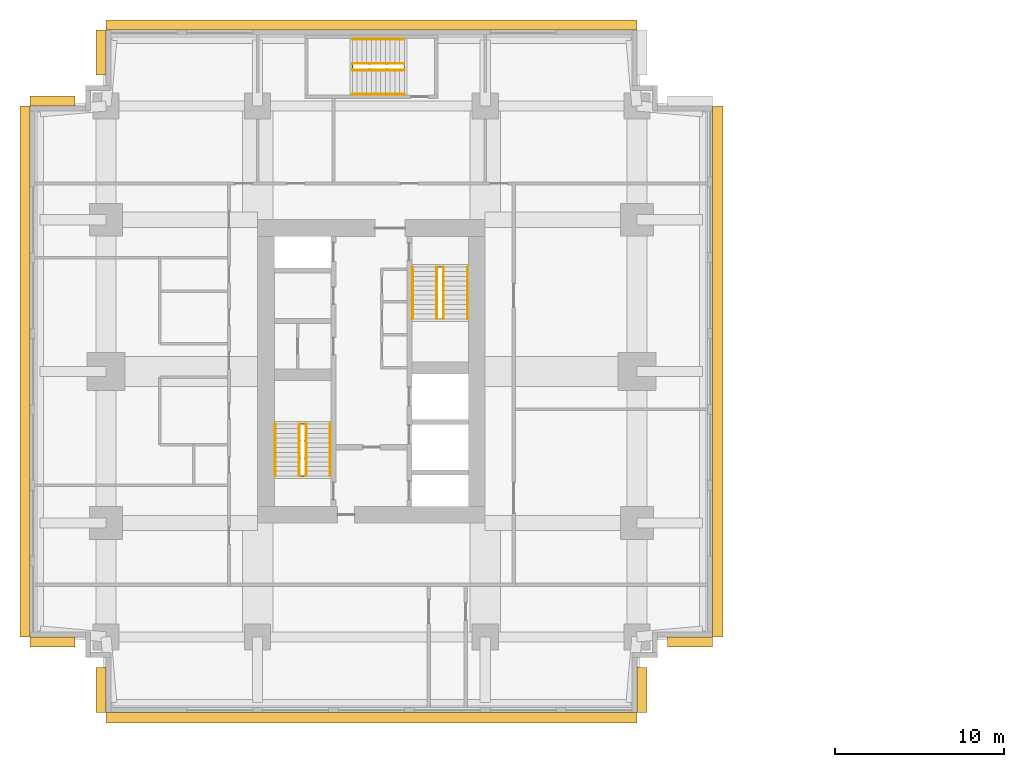
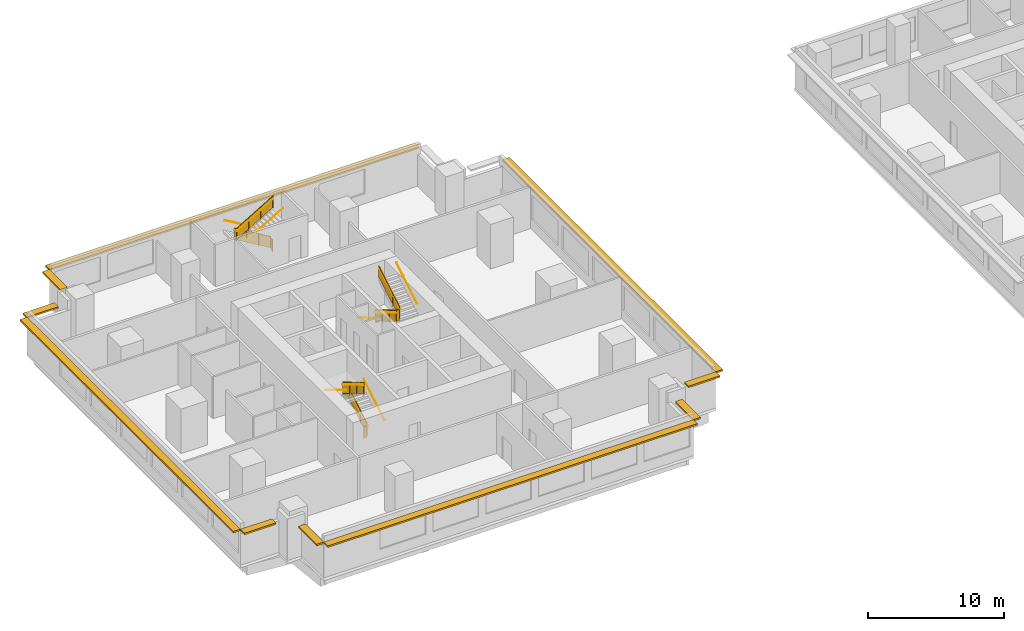
# One storey, part 10 of 11: 15 railings, 10 shading devices.
"""IFC4 building model written with IfcOpenShell, lengths in metres."""

from ifc_helpers import new_model, si_unit, direction, frame, origin, origin_2d, place, context, subcontext, project, spatial, polyline, rectangle, circle, outline, extrude, material, layer, layer_set, type_object, element, save


model = new_model("IFC4")

# Units and contexts
model_context = context("Model", 3, precision=1e-05, world=origin(), true_north=direction((0.0, 1.0)))
body_context = subcontext(model_context, "Body", "Model", "MODEL_VIEW")
ifc_project = project(units=[si_unit("LENGTHUNIT", "METRE"), si_unit("AREAUNIT", "SQUARE_METRE"), si_unit("VOLUMEUNIT", "CUBIC_METRE"), si_unit("PLANEANGLEUNIT", "RADIAN"), si_unit("MASSUNIT", "GRAM", prefix="KILO")], contexts=[model_context])

# Site, building, storey
site_placement = place(None, origin())
site = spatial("IfcSite", under=ifc_project, at=site_placement, CompositionType="ELEMENT")
building_placement = place(site_placement, origin())
building = spatial("IfcBuilding", under=site, at=building_placement, Name="Namib Vertical Campus", CompositionType="ELEMENT")
storey_placement = place(building_placement, frame((0.0, 0.0, 213.0)))
storey = spatial("IfcBuildingStorey", under=building, at=storey_placement, Name="L50", CompositionType="ELEMENT", Elevation=213.0)

# Railings
ifc_material_1 = material(Name="Steel handrail", Category="steel")
railing_type_1 = type_object("IfcRailingType", Name="Handrail 900", PredefinedType="HANDRAIL", material=ifc_material_1)
railing_1_placement = place(storey_placement, frame((17.800048828125, 14.050048828125, 0.166748046875)))
element("IfcRailing", 1, at=railing_1_placement, inside=storey, type_object=railing_type_1, Name="Handrail HR1 A-S1 L50 1", PredefinedType="HANDRAIL", context=body_context, shape_type="SweptSolid", body=[
    extrude(circle(Radius=0.02392578125, at=origin_2d()), frame((0.0, 0.0, 0.8759765625), z_axis=(0.0, 0.859290745958, 0.51148745235), x_axis=(-1.0, 0.0, 0.0)), (0.0, 0.0, 1.0), 3.584228515625),
    extrude(circle(Radius=0.008056640625, at=origin_2d()), frame((0.0, 0.0, 0.8759765625), z_axis=(1.0, 0.0, 0.0), x_axis=(0.0, 0.0, 1.0)), (0.0, 0.0, 1.0), 0.050048828125),
    extrude(circle(Radius=0.008056640625, at=origin_2d()), frame((0.0, 1.026611328125, 1.48681640625), z_axis=(1.0, 0.0, 0.0), x_axis=(0.0, 0.0, 1.0)), (0.0, 0.0, 1.0), 0.050048828125),
    extrude(circle(Radius=0.008056640625, at=origin_2d()), frame((0.0, 2.05322265625, 2.09814453125), z_axis=(1.0, 0.0, 0.0), x_axis=(0.0, 0.0, 1.0)), (0.0, 0.0, 1.0), 0.050048828125),
    extrude(circle(Radius=0.008056640625, at=origin_2d()), frame((0.0, 3.079833984375, 2.708984375), z_axis=(1.0, 0.0, 0.0), x_axis=(0.0, 0.0, 1.0)), (0.0, 0.0, 1.0), 0.050048828125),
])
railing_2_placement = place(storey_placement, frame((14.550048828125, 17.1298828125, 2.166748046875)))
element("IfcRailing", 2, at=railing_2_placement, inside=storey, type_object=railing_type_1, Name="Handrail HR1 A-S1 L50 2", PredefinedType="HANDRAIL", context=body_context, shape_type="SweptSolid", body=[
    extrude(circle(Radius=0.02392578125, at=origin_2d()), frame((0.0, 0.0, 0.8759765625), z_axis=(0.0, -0.859290745958, 0.51148745235), x_axis=(1.0, 0.0, 0.0)), (0.0, 0.0, 1.0), 3.584228515625),
    extrude(circle(Radius=0.008056640625, at=origin_2d()), frame((0.0, 0.0, 0.8759765625), z_axis=(-1.0, 0.0, 0.0), x_axis=(0.0, 0.0, 1.0)), (0.0, 0.0, 1.0), 0.050048828125),
    extrude(circle(Radius=0.008056640625, at=origin_2d()), frame((0.0, -1.026611328125, 1.48681640625), z_axis=(-1.0, 0.0, 0.0), x_axis=(0.0, 0.0, 1.0)), (0.0, 0.0, 1.0), 0.050048828125),
    extrude(circle(Radius=0.008056640625, at=origin_2d()), frame((0.0, -2.05322265625, 2.09814453125), z_axis=(-1.0, 0.0, 0.0), x_axis=(0.0, 0.0, 1.0)), (0.0, 0.0, 1.0), 0.050048828125),
    extrude(circle(Radius=0.008056640625, at=origin_2d()), frame((0.0, -3.079833984375, 2.708984375), z_axis=(-1.0, 0.0, 0.0), x_axis=(0.0, 0.0, 1.0)), (0.0, 0.0, 1.0), 0.050048828125),
])
railing_3_placement = place(storey_placement, frame((16.375, 14.050048828125, 0.166748046875)))
element("IfcRailing", 3, at=railing_3_placement, inside=storey, type_object=railing_type_1, Name="Handrail HR1 A-S1 L50 1 at the well", PredefinedType="HANDRAIL", context=body_context, shape_type="SweptSolid", body=[
    extrude(circle(Radius=0.02392578125, at=origin_2d()), frame((0.0, 0.0, 0.8759765625), z_axis=(0.0, 0.859290745958, 0.51148745235), x_axis=(-1.0, 0.0, 0.0)), (0.0, 0.0, 1.0), 3.584228515625),
    extrude(circle(Radius=0.008056640625, at=origin_2d()), frame((0.0, 0.0, 0.8759765625), z_axis=(-1.0, 0.0, 0.0), x_axis=(0.0, 0.0, 1.0)), (0.0, 0.0, 1.0), 0.0400390625),
    extrude(circle(Radius=0.008056640625, at=origin_2d()), frame((0.0, 1.026611328125, 1.48681640625), z_axis=(-1.0, 0.0, 0.0), x_axis=(0.0, 0.0, 1.0)), (0.0, 0.0, 1.0), 0.0400390625),
    extrude(circle(Radius=0.008056640625, at=origin_2d()), frame((0.0, 2.05322265625, 2.09814453125), z_axis=(-1.0, 0.0, 0.0), x_axis=(0.0, 0.0, 1.0)), (0.0, 0.0, 1.0), 0.0400390625),
    extrude(circle(Radius=0.008056640625, at=origin_2d()), frame((0.0, 3.079833984375, 2.708984375), z_axis=(-1.0, 0.0, 0.0), x_axis=(0.0, 0.0, 1.0)), (0.0, 0.0, 1.0), 0.0400390625),
])
railing_4_placement = place(storey_placement, frame((15.97509765625, 17.1298828125, 2.166748046875)))
element("IfcRailing", 4, at=railing_4_placement, inside=storey, type_object=railing_type_1, Name="Handrail HR1 A-S1 L50 2 at the well", PredefinedType="HANDRAIL", context=body_context, shape_type="SweptSolid", body=[
    extrude(circle(Radius=0.02392578125, at=origin_2d()), frame((0.0, 0.0, 0.8759765625), z_axis=(0.0, -0.859290745958, 0.51148745235), x_axis=(1.0, 0.0, 0.0)), (0.0, 0.0, 1.0), 3.584228515625),
    extrude(circle(Radius=0.008056640625, at=origin_2d()), frame((0.0, 0.0, 0.8759765625), z_axis=(1.0, 0.0, 0.0), x_axis=(0.0, 0.0, 1.0)), (0.0, 0.0, 1.0), 0.0400390625),
    extrude(circle(Radius=0.008056640625, at=origin_2d()), frame((0.0, -1.026611328125, 1.48681640625), z_axis=(1.0, 0.0, 0.0), x_axis=(0.0, 0.0, 1.0)), (0.0, 0.0, 1.0), 0.0400390625),
    extrude(circle(Radius=0.008056640625, at=origin_2d()), frame((0.0, -2.05322265625, 2.09814453125), z_axis=(1.0, 0.0, 0.0), x_axis=(0.0, 0.0, 1.0)), (0.0, 0.0, 1.0), 0.0400390625),
    extrude(circle(Radius=0.008056640625, at=origin_2d()), frame((0.0, -3.079833984375, 2.708984375), z_axis=(1.0, 0.0, 0.0), x_axis=(0.0, 0.0, 1.0)), (0.0, 0.0, 1.0), 0.0400390625),
])
railing_5_placement = place(storey_placement, frame((22.699951171875, 26.449951171875, 0.166748046875)))
element("IfcRailing", 5, at=railing_5_placement, inside=storey, type_object=railing_type_1, Name="Handrail HR1 A-S2 L50 1", PredefinedType="HANDRAIL", context=body_context, shape_type="SweptSolid", body=[
    extrude(circle(Radius=0.02392578125, at=origin_2d()), frame((0.0, 0.0, 0.8759765625), z_axis=(0.0, -0.859290745958, 0.51148745235), x_axis=(1.0, 0.0, 0.0)), (0.0, 0.0, 1.0), 3.584228515625),
    extrude(circle(Radius=0.008056640625, at=origin_2d()), frame((0.0, 0.0, 0.8759765625), z_axis=(-1.0, 0.0, 0.0), x_axis=(0.0, 0.0, 1.0)), (0.0, 0.0, 1.0), 0.050048828125),
    extrude(circle(Radius=0.008056640625, at=origin_2d()), frame((0.0, -1.026611328125, 1.48681640625), z_axis=(-1.0, 0.0, 0.0), x_axis=(0.0, 0.0, 1.0)), (0.0, 0.0, 1.0), 0.050048828125),
    extrude(circle(Radius=0.008056640625, at=origin_2d()), frame((0.0, -2.05322265625, 2.09814453125), z_axis=(-1.0, 0.0, 0.0), x_axis=(0.0, 0.0, 1.0)), (0.0, 0.0, 1.0), 0.050048828125),
    extrude(circle(Radius=0.008056640625, at=origin_2d()), frame((0.0, -3.079833984375, 2.708984375), z_axis=(-1.0, 0.0, 0.0), x_axis=(0.0, 0.0, 1.0)), (0.0, 0.0, 1.0), 0.050048828125),
])
railing_6_placement = place(storey_placement, frame((25.949951171875, 23.3701171875, 2.166748046875)))
element("IfcRailing", 6, at=railing_6_placement, inside=storey, type_object=railing_type_1, Name="Handrail HR1 A-S2 L50 2", PredefinedType="HANDRAIL", context=body_context, shape_type="SweptSolid", body=[
    extrude(circle(Radius=0.02392578125, at=origin_2d()), frame((0.0, 0.0, 0.8759765625), z_axis=(0.0, 0.859290745958, 0.51148745235), x_axis=(-1.0, 0.0, 0.0)), (0.0, 0.0, 1.0), 3.584228515625),
    extrude(circle(Radius=0.008056640625, at=origin_2d()), frame((0.0, 0.0, 0.8759765625), z_axis=(1.0, 0.0, 0.0), x_axis=(0.0, 0.0, 1.0)), (0.0, 0.0, 1.0), 0.050048828125),
    extrude(circle(Radius=0.008056640625, at=origin_2d()), frame((0.0, 1.026611328125, 1.48681640625), z_axis=(1.0, 0.0, 0.0), x_axis=(0.0, 0.0, 1.0)), (0.0, 0.0, 1.0), 0.050048828125),
    extrude(circle(Radius=0.008056640625, at=origin_2d()), frame((0.0, 2.05322265625, 2.09814453125), z_axis=(1.0, 0.0, 0.0), x_axis=(0.0, 0.0, 1.0)), (0.0, 0.0, 1.0), 0.050048828125),
    extrude(circle(Radius=0.008056640625, at=origin_2d()), frame((0.0, 3.079833984375, 2.708984375), z_axis=(1.0, 0.0, 0.0), x_axis=(0.0, 0.0, 1.0)), (0.0, 0.0, 1.0), 0.050048828125),
])
railing_7_placement = place(storey_placement, frame((24.125, 26.449951171875, 0.166748046875)))
element("IfcRailing", 7, at=railing_7_placement, inside=storey, type_object=railing_type_1, Name="Handrail HR1 A-S2 L50 1 at the well", PredefinedType="HANDRAIL", context=body_context, shape_type="SweptSolid", body=[
    extrude(circle(Radius=0.02392578125, at=origin_2d()), frame((0.0, 0.0, 0.8759765625), z_axis=(0.0, -0.859290745958, 0.51148745235), x_axis=(1.0, 0.0, 0.0)), (0.0, 0.0, 1.0), 3.584228515625),
    extrude(circle(Radius=0.008056640625, at=origin_2d()), frame((0.0, 0.0, 0.8759765625), z_axis=(1.0, 0.0, 0.0), x_axis=(0.0, 0.0, 1.0)), (0.0, 0.0, 1.0), 0.0400390625),
    extrude(circle(Radius=0.008056640625, at=origin_2d()), frame((0.0, -1.026611328125, 1.48681640625), z_axis=(1.0, 0.0, 0.0), x_axis=(0.0, 0.0, 1.0)), (0.0, 0.0, 1.0), 0.0400390625),
    extrude(circle(Radius=0.008056640625, at=origin_2d()), frame((0.0, -2.05322265625, 2.09814453125), z_axis=(1.0, 0.0, 0.0), x_axis=(0.0, 0.0, 1.0)), (0.0, 0.0, 1.0), 0.0400390625),
    extrude(circle(Radius=0.008056640625, at=origin_2d()), frame((0.0, -3.079833984375, 2.708984375), z_axis=(1.0, 0.0, 0.0), x_axis=(0.0, 0.0, 1.0)), (0.0, 0.0, 1.0), 0.0400390625),
])
railing_8_placement = place(storey_placement, frame((24.52490234375, 23.3701171875, 2.166748046875)))
element("IfcRailing", 8, at=railing_8_placement, inside=storey, type_object=railing_type_1, Name="Handrail HR1 A-S2 L50 2 at the well", PredefinedType="HANDRAIL", context=body_context, shape_type="SweptSolid", body=[
    extrude(circle(Radius=0.02392578125, at=origin_2d()), frame((0.0, 0.0, 0.8759765625), z_axis=(0.0, 0.859290745958, 0.51148745235), x_axis=(-1.0, 0.0, 0.0)), (0.0, 0.0, 1.0), 3.584228515625),
    extrude(circle(Radius=0.008056640625, at=origin_2d()), frame((0.0, 0.0, 0.8759765625), z_axis=(-1.0, 0.0, 0.0), x_axis=(0.0, 0.0, 1.0)), (0.0, 0.0, 1.0), 0.0400390625),
    extrude(circle(Radius=0.008056640625, at=origin_2d()), frame((0.0, 1.026611328125, 1.48681640625), z_axis=(-1.0, 0.0, 0.0), x_axis=(0.0, 0.0, 1.0)), (0.0, 0.0, 1.0), 0.0400390625),
    extrude(circle(Radius=0.008056640625, at=origin_2d()), frame((0.0, 2.05322265625, 2.09814453125), z_axis=(-1.0, 0.0, 0.0), x_axis=(0.0, 0.0, 1.0)), (0.0, 0.0, 1.0), 0.0400390625),
    extrude(circle(Radius=0.008056640625, at=origin_2d()), frame((0.0, 3.079833984375, 2.708984375), z_axis=(-1.0, 0.0, 0.0), x_axis=(0.0, 0.0, 1.0)), (0.0, 0.0, 1.0), 0.0400390625),
])
railing_9_placement = place(storey_placement, frame((22.199951171875, 39.949951171875, 0.166748046875)))
element("IfcRailing", 9, at=railing_9_placement, inside=storey, type_object=railing_type_1, Name="Handrail HR1 A-S3 L50 1", PredefinedType="HANDRAIL", context=body_context, shape_type="SweptSolid", body=[
    extrude(circle(Radius=0.02392578125, at=origin_2d()), frame((0.0, 0.0, 0.8759765625), z_axis=(-0.859290745958, 0.0, 0.51148745235), x_axis=(0.0, -1.0, 0.0)), (0.0, 0.0, 1.0), 3.584228515625),
    extrude(circle(Radius=0.008056640625, at=origin_2d()), frame((0.0, 0.0, 0.8759765625), z_axis=(0.0, 1.0, 0.0), x_axis=(0.0, 0.0, 1.0)), (0.0, 0.0, 1.0), 0.050048828125),
    extrude(circle(Radius=0.008056640625, at=origin_2d()), frame((-1.026611328125, 0.0, 1.48681640625), z_axis=(0.0, 1.0, 0.0), x_axis=(0.0, 0.0, 1.0)), (0.0, 0.0, 1.0), 0.050048828125),
    extrude(circle(Radius=0.008056640625, at=origin_2d()), frame((-2.05322265625, 0.0, 2.09814453125), z_axis=(0.0, 1.0, 0.0), x_axis=(0.0, 0.0, 1.0)), (0.0, 0.0, 1.0), 0.050048828125),
    extrude(circle(Radius=0.008056640625, at=origin_2d()), frame((-3.079833984375, 0.0, 2.708984375), z_axis=(0.0, 1.0, 0.0), x_axis=(0.0, 0.0, 1.0)), (0.0, 0.0, 1.0), 0.050048828125),
])
railing_10_placement = place(storey_placement, frame((19.1201171875, 36.699951171875, 2.166748046875)))
element("IfcRailing", 10, at=railing_10_placement, inside=storey, type_object=railing_type_1, Name="Handrail HR1 A-S3 L50 2", PredefinedType="HANDRAIL", context=body_context, shape_type="SweptSolid", body=[
    extrude(circle(Radius=0.02392578125, at=origin_2d()), frame((0.0, 0.0, 0.8759765625), z_axis=(0.859290745958, 0.0, 0.51148745235), x_axis=(0.0, 1.0, 0.0)), (0.0, 0.0, 1.0), 3.584228515625),
    extrude(circle(Radius=0.008056640625, at=origin_2d()), frame((0.0, 0.0, 0.8759765625), z_axis=(0.0, -1.0, 0.0), x_axis=(0.0, 0.0, 1.0)), (0.0, 0.0, 1.0), 0.050048828125),
    extrude(circle(Radius=0.008056640625, at=origin_2d()), frame((1.026611328125, 0.0, 1.48681640625), z_axis=(0.0, -1.0, 0.0), x_axis=(0.0, 0.0, 1.0)), (0.0, 0.0, 1.0), 0.050048828125),
    extrude(circle(Radius=0.008056640625, at=origin_2d()), frame((2.05322265625, 0.0, 2.09814453125), z_axis=(0.0, -1.0, 0.0), x_axis=(0.0, 0.0, 1.0)), (0.0, 0.0, 1.0), 0.050048828125),
    extrude(circle(Radius=0.008056640625, at=origin_2d()), frame((3.079833984375, 0.0, 2.708984375), z_axis=(0.0, -1.0, 0.0), x_axis=(0.0, 0.0, 1.0)), (0.0, 0.0, 1.0), 0.050048828125),
])
railing_11_placement = place(storey_placement, frame((22.199951171875, 38.52490234375, 0.166748046875)))
element("IfcRailing", 11, at=railing_11_placement, inside=storey, type_object=railing_type_1, Name="Handrail HR1 A-S3 L50 1 at the well", PredefinedType="HANDRAIL", context=body_context, shape_type="SweptSolid", body=[
    extrude(circle(Radius=0.02392578125, at=origin_2d()), frame((0.0, 0.0, 0.8759765625), z_axis=(-0.859290745958, 0.0, 0.51148745235), x_axis=(0.0, -1.0, 0.0)), (0.0, 0.0, 1.0), 3.584228515625),
    extrude(circle(Radius=0.008056640625, at=origin_2d()), frame((0.0, 0.0, 0.8759765625), z_axis=(0.0, -1.0, 0.0), x_axis=(0.0, 0.0, 1.0)), (0.0, 0.0, 1.0), 0.0400390625),
    extrude(circle(Radius=0.008056640625, at=origin_2d()), frame((-1.026611328125, 0.0, 1.48681640625), z_axis=(0.0, -1.0, 0.0), x_axis=(0.0, 0.0, 1.0)), (0.0, 0.0, 1.0), 0.0400390625),
    extrude(circle(Radius=0.008056640625, at=origin_2d()), frame((-2.05322265625, 0.0, 2.09814453125), z_axis=(0.0, -1.0, 0.0), x_axis=(0.0, 0.0, 1.0)), (0.0, 0.0, 1.0), 0.0400390625),
    extrude(circle(Radius=0.008056640625, at=origin_2d()), frame((-3.079833984375, 0.0, 2.708984375), z_axis=(0.0, -1.0, 0.0), x_axis=(0.0, 0.0, 1.0)), (0.0, 0.0, 1.0), 0.0400390625),
])
railing_12_placement = place(storey_placement, frame((19.1201171875, 38.125, 2.166748046875)))
element("IfcRailing", 12, at=railing_12_placement, inside=storey, type_object=railing_type_1, Name="Handrail HR1 A-S3 L50 2 at the well", PredefinedType="HANDRAIL", context=body_context, shape_type="SweptSolid", body=[
    extrude(circle(Radius=0.02392578125, at=origin_2d()), frame((0.0, 0.0, 0.8759765625), z_axis=(0.859290745958, 0.0, 0.51148745235), x_axis=(0.0, 1.0, 0.0)), (0.0, 0.0, 1.0), 3.584228515625),
    extrude(circle(Radius=0.008056640625, at=origin_2d()), frame((0.0, 0.0, 0.8759765625), z_axis=(0.0, 1.0, 0.0), x_axis=(0.0, 0.0, 1.0)), (0.0, 0.0, 1.0), 0.0400390625),
    extrude(circle(Radius=0.008056640625, at=origin_2d()), frame((1.026611328125, 0.0, 1.48681640625), z_axis=(0.0, 1.0, 0.0), x_axis=(0.0, 0.0, 1.0)), (0.0, 0.0, 1.0), 0.0400390625),
    extrude(circle(Radius=0.008056640625, at=origin_2d()), frame((2.05322265625, 0.0, 2.09814453125), z_axis=(0.0, 1.0, 0.0), x_axis=(0.0, 0.0, 1.0)), (0.0, 0.0, 1.0), 0.0400390625),
    extrude(circle(Radius=0.008056640625, at=origin_2d()), frame((3.079833984375, 0.0, 2.708984375), z_axis=(0.0, 1.0, 0.0), x_axis=(0.0, 0.0, 1.0)), (0.0, 0.0, 1.0), 0.0400390625),
])
ifc_material_2 = material(Name="Steel balustrade", Category="steel")
railing_type_2 = type_object("IfcRailingType", Name="Stair guard 1100", PredefinedType="GUARDRAIL", material=ifc_material_2)
railing_13_placement = place(storey_placement, frame((16.02490234375, 14.050048828125, 0.0)))
element("IfcRailing", 13, at=railing_13_placement, inside=storey, type_object=railing_type_2, Name="Stair guard GR1 A-S1 L50", PredefinedType="GUARDRAIL", context=body_context, shape_type="SweptSolid", body=[
    extrude(circle(Radius=0.02392578125, at=origin_2d()), frame((0.0, 0.0, 1.076171875), z_axis=(1.0, 0.0, 0.0), x_axis=(0.0, 1.0, 0.0)), (0.0, 0.0, 1.0), 0.300048828125),
    extrude(outline(polyline([(0.02099609375, 0.050048828125), (0.279052734375, 0.050048828125), (0.279052734375, 1.052001953125), (0.02099609375, 1.052001953125), (0.02099609375, 0.050048828125)])), frame((0.0, 0.010009765625, 0.0), z_axis=(0.0, -1.0, 0.0), x_axis=(1.0, 0.0, 0.0)), (0.0, 0.0, 1.0), 0.02001953125),
    extrude(circle(Radius=0.02392578125, at=origin_2d()), frame((0.300048828125, 0.0, 1.076171875), z_axis=(0.0, 0.0, 1.0), x_axis=(1.0, 0.0, 0.0)), (0.0, 0.0, 1.0), 0.166748046875),
    extrude(circle(Radius=0.02392578125, at=origin_2d()), frame((0.300048828125, 0.0, 1.24267578125), z_axis=(0.0, 0.859290745958, 0.51148745235), x_axis=(-1.0, 0.0, 0.0)), (0.0, 0.0, 1.0), 3.584228515625),
    extrude(outline(polyline([(0.02099609375, 0.0625), (3.058837890625, 1.870849609375), (3.058837890625, 2.872802734375), (0.02099609375, 1.064453125), (0.02099609375, 0.0625)])), frame((0.2900390625, 0.0, 0.166748046875), z_axis=(1.0, 0.0, 0.0), x_axis=(0.0, 1.0, 0.0)), (0.0, 0.0, 1.0), 0.02001953125),
    extrude(circle(Radius=0.02392578125, at=origin_2d()), frame((0.300048828125, 3.079833984375, 3.076171875), z_axis=(-1.0, 0.0, 0.0), x_axis=(0.0, -1.0, 0.0)), (0.0, 0.0, 1.0), 0.300048828125),
    extrude(outline(polyline([(0.02099609375, 0.050048828125), (0.279052734375, 0.050048828125), (0.279052734375, 1.052001953125), (0.02099609375, 1.052001953125), (0.02099609375, 0.050048828125)])), frame((0.300048828125, 3.06982421875, 2.0), z_axis=(0.0, 1.0, 0.0), x_axis=(-1.0, 0.0, 0.0)), (0.0, 0.0, 1.0), 0.02001953125),
    extrude(circle(Radius=0.02392578125, at=origin_2d()), frame((0.0, 3.079833984375, 3.076171875), z_axis=(0.0, 0.0, 1.0), x_axis=(1.0, 0.0, 0.0)), (0.0, 0.0, 1.0), 0.166748046875),
    extrude(circle(Radius=0.02392578125, at=origin_2d()), frame((0.0, 3.079833984375, 3.24267578125), z_axis=(0.0, -0.859290745958, 0.51148745235), x_axis=(1.0, 0.0, 0.0)), (0.0, 0.0, 1.0), 3.584228515625),
    extrude(outline(polyline([(0.02099609375, 0.0625), (3.058837890625, 1.870849609375), (3.058837890625, 2.872802734375), (0.02099609375, 1.064453125), (0.02099609375, 0.0625)])), frame((0.010009765625, 3.079833984375, 2.166748046875), z_axis=(-1.0, 0.0, 0.0), x_axis=(0.0, -1.0, 0.0)), (0.0, 0.0, 1.0), 0.02001953125),
    extrude(circle(Radius=0.02392578125, at=origin_2d()), frame((0.0, 0.0, 5.076171875), z_axis=(0.0, -1.0, 0.0), x_axis=(1.0, 0.0, 0.0)), (0.0, 0.0, 1.0), 0.050048828125),
    extrude(outline(polyline([(0.02099609375, 0.050048828125), (0.029052734375, 0.050048828125), (0.029052734375, 1.052001953125), (0.02099609375, 1.052001953125), (0.02099609375, 0.050048828125)])), frame((0.010009765625, 0.0, 4.0), z_axis=(-1.0, 0.0, 0.0), x_axis=(0.0, -1.0, 0.0)), (0.0, 0.0, 1.0), 0.02001953125),
    extrude(circle(Radius=0.02099609375, at=origin_2d()), origin(), (0.0, 0.0, 1.0), 1.052001953125),
    extrude(circle(Radius=0.02099609375, at=origin_2d()), frame((0.300048828125, 0.0, 0.166748046875)), (0.0, 0.0, 1.0), 1.052001953125),
    extrude(circle(Radius=0.02099609375, at=origin_2d()), frame((0.300048828125, 1.026611328125, 0.666748046875)), (0.0, 0.0, 1.0), 1.1630859375),
    extrude(circle(Radius=0.02099609375, at=origin_2d()), frame((0.300048828125, 2.05322265625, 1.33349609375)), (0.0, 0.0, 1.0), 1.107421875),
    extrude(circle(Radius=0.02099609375, at=origin_2d()), frame((0.300048828125, 3.079833984375, 2.0)), (0.0, 0.0, 1.0), 1.052001953125),
    extrude(circle(Radius=0.02099609375, at=origin_2d()), frame((0.0, 3.079833984375, 2.166748046875)), (0.0, 0.0, 1.0), 1.052001953125),
    extrude(circle(Radius=0.02099609375, at=origin_2d()), frame((0.0, 2.05322265625, 2.666748046875)), (0.0, 0.0, 1.0), 1.1630859375),
    extrude(circle(Radius=0.02099609375, at=origin_2d()), frame((0.0, 1.026611328125, 3.33349609375)), (0.0, 0.0, 1.0), 1.107421875),
    extrude(circle(Radius=0.02099609375, at=origin_2d()), frame((0.0, 0.0, 4.0)), (0.0, 0.0, 1.0), 1.052001953125),
    extrude(circle(Radius=0.02099609375, at=origin_2d()), frame((0.0, -0.050048828125, 4.0)), (0.0, 0.0, 1.0), 1.052001953125),
])
railing_14_placement = place(storey_placement, frame((24.47509765625, 26.449951171875, 0.0)))
element("IfcRailing", 14, at=railing_14_placement, inside=storey, type_object=railing_type_2, Name="Stair guard GR1 A-S2 L50", PredefinedType="GUARDRAIL", context=body_context, shape_type="SweptSolid", body=[
    extrude(circle(Radius=0.02392578125, at=origin_2d()), frame((0.0, 0.0, 1.076171875), z_axis=(-1.0, 0.0, 0.0), x_axis=(0.0, -1.0, 0.0)), (0.0, 0.0, 1.0), 0.300048828125),
    extrude(outline(polyline([(0.02099609375, 0.050048828125), (0.279052734375, 0.050048828125), (0.279052734375, 1.052001953125), (0.02099609375, 1.052001953125), (0.02099609375, 0.050048828125)])), frame((0.0, -0.010009765625, 0.0), z_axis=(0.0, 1.0, 0.0), x_axis=(-1.0, 0.0, 0.0)), (0.0, 0.0, 1.0), 0.02001953125),
    extrude(circle(Radius=0.02392578125, at=origin_2d()), frame((-0.300048828125, 0.0, 1.076171875), z_axis=(0.0, 0.0, 1.0), x_axis=(1.0, 0.0, 0.0)), (0.0, 0.0, 1.0), 0.166748046875),
    extrude(circle(Radius=0.02392578125, at=origin_2d()), frame((-0.300048828125, 0.0, 1.24267578125), z_axis=(0.0, -0.859290745958, 0.51148745235), x_axis=(1.0, 0.0, 0.0)), (0.0, 0.0, 1.0), 3.584228515625),
    extrude(outline(polyline([(0.02099609375, 0.0625), (3.058837890625, 1.870849609375), (3.058837890625, 2.872802734375), (0.02099609375, 1.064453125), (0.02099609375, 0.0625)])), frame((-0.2900390625, 0.0, 0.166748046875), z_axis=(-1.0, 0.0, 0.0), x_axis=(0.0, -1.0, 0.0)), (0.0, 0.0, 1.0), 0.02001953125),
    extrude(circle(Radius=0.02392578125, at=origin_2d()), frame((-0.300048828125, -3.079833984375, 3.076171875), z_axis=(1.0, 0.0, 0.0), x_axis=(0.0, 1.0, 0.0)), (0.0, 0.0, 1.0), 0.300048828125),
    extrude(outline(polyline([(0.02099609375, 0.050048828125), (0.279052734375, 0.050048828125), (0.279052734375, 1.052001953125), (0.02099609375, 1.052001953125), (0.02099609375, 0.050048828125)])), frame((-0.300048828125, -3.06982421875, 2.0), z_axis=(0.0, -1.0, 0.0), x_axis=(1.0, 0.0, 0.0)), (0.0, 0.0, 1.0), 0.02001953125),
    extrude(circle(Radius=0.02392578125, at=origin_2d()), frame((0.0, -3.079833984375, 3.076171875), z_axis=(0.0, 0.0, 1.0), x_axis=(1.0, 0.0, 0.0)), (0.0, 0.0, 1.0), 0.166748046875),
    extrude(circle(Radius=0.02392578125, at=origin_2d()), frame((0.0, -3.079833984375, 3.24267578125), z_axis=(0.0, 0.859290745958, 0.51148745235), x_axis=(-1.0, 0.0, 0.0)), (0.0, 0.0, 1.0), 3.584228515625),
    extrude(outline(polyline([(0.02099609375, 0.0625), (3.058837890625, 1.870849609375), (3.058837890625, 2.872802734375), (0.02099609375, 1.064453125), (0.02099609375, 0.0625)])), frame((-0.010009765625, -3.079833984375, 2.166748046875), z_axis=(1.0, 0.0, 0.0), x_axis=(0.0, 1.0, 0.0)), (0.0, 0.0, 1.0), 0.02001953125),
    extrude(circle(Radius=0.02392578125, at=origin_2d()), frame((0.0, 0.0, 5.076171875), z_axis=(0.0, 1.0, 0.0), x_axis=(-1.0, 0.0, 0.0)), (0.0, 0.0, 1.0), 0.050048828125),
    extrude(outline(polyline([(0.02099609375, 0.050048828125), (0.029052734375, 0.050048828125), (0.029052734375, 1.052001953125), (0.02099609375, 1.052001953125), (0.02099609375, 0.050048828125)])), frame((-0.010009765625, 0.0, 4.0), z_axis=(1.0, 0.0, 0.0), x_axis=(0.0, 1.0, 0.0)), (0.0, 0.0, 1.0), 0.02001953125),
    extrude(circle(Radius=0.02099609375, at=origin_2d()), origin(), (0.0, 0.0, 1.0), 1.052001953125),
    extrude(circle(Radius=0.02099609375, at=origin_2d()), frame((-0.300048828125, 0.0, 0.166748046875)), (0.0, 0.0, 1.0), 1.052001953125),
    extrude(circle(Radius=0.02099609375, at=origin_2d()), frame((-0.300048828125, -1.026611328125, 0.666748046875)), (0.0, 0.0, 1.0), 1.1630859375),
    extrude(circle(Radius=0.02099609375, at=origin_2d()), frame((-0.300048828125, -2.05322265625, 1.33349609375)), (0.0, 0.0, 1.0), 1.107421875),
    extrude(circle(Radius=0.02099609375, at=origin_2d()), frame((-0.300048828125, -3.079833984375, 2.0)), (0.0, 0.0, 1.0), 1.052001953125),
    extrude(circle(Radius=0.02099609375, at=origin_2d()), frame((0.0, -3.079833984375, 2.166748046875)), (0.0, 0.0, 1.0), 1.052001953125),
    extrude(circle(Radius=0.02099609375, at=origin_2d()), frame((0.0, -2.05322265625, 2.666748046875)), (0.0, 0.0, 1.0), 1.1630859375),
    extrude(circle(Radius=0.02099609375, at=origin_2d()), frame((0.0, -1.026611328125, 3.33349609375)), (0.0, 0.0, 1.0), 1.107421875),
    extrude(circle(Radius=0.02099609375, at=origin_2d()), frame((0.0, 0.0, 4.0)), (0.0, 0.0, 1.0), 1.052001953125),
    extrude(circle(Radius=0.02099609375, at=origin_2d()), frame((0.0, 0.050048828125, 4.0)), (0.0, 0.0, 1.0), 1.052001953125),
])
railing_15_placement = place(storey_placement, frame((22.199951171875, 38.175048828125, 0.0)))
element("IfcRailing", 15, at=railing_15_placement, inside=storey, type_object=railing_type_2, Name="Stair guard GR1 A-S3 L50", PredefinedType="GUARDRAIL", context=body_context, shape_type="SweptSolid", body=[
    extrude(circle(Radius=0.02392578125, at=origin_2d()), frame((0.0, 0.0, 1.076171875), z_axis=(0.0, 1.0, 0.0), x_axis=(-1.0, 0.0, 0.0)), (0.0, 0.0, 1.0), 0.300048828125),
    extrude(outline(polyline([(0.02099609375, 0.050048828125), (0.279052734375, 0.050048828125), (0.279052734375, 1.052001953125), (0.02099609375, 1.052001953125), (0.02099609375, 0.050048828125)])), frame((-0.010009765625, 0.0, 0.0), z_axis=(1.0, 0.0, 0.0), x_axis=(0.0, 1.0, 0.0)), (0.0, 0.0, 1.0), 0.02001953125),
    extrude(circle(Radius=0.02392578125, at=origin_2d()), frame((0.0, 0.300048828125, 1.076171875), z_axis=(0.0, 0.0, 1.0), x_axis=(1.0, 0.0, 0.0)), (0.0, 0.0, 1.0), 0.166748046875),
    extrude(circle(Radius=0.02392578125, at=origin_2d()), frame((0.0, 0.300048828125, 1.24267578125), z_axis=(-0.859290745958, 0.0, 0.51148745235), x_axis=(0.0, -1.0, 0.0)), (0.0, 0.0, 1.0), 3.584228515625),
    extrude(outline(polyline([(0.02099609375, 0.0625), (3.058837890625, 1.870849609375), (3.058837890625, 2.872802734375), (0.02099609375, 1.064453125), (0.02099609375, 0.0625)])), frame((0.0, 0.2900390625, 0.166748046875), z_axis=(0.0, 1.0, 0.0), x_axis=(-1.0, 0.0, 0.0)), (0.0, 0.0, 1.0), 0.02001953125),
    extrude(circle(Radius=0.02392578125, at=origin_2d()), frame((-3.079833984375, 0.300048828125, 3.076171875), z_axis=(0.0, -1.0, 0.0), x_axis=(1.0, 0.0, 0.0)), (0.0, 0.0, 1.0), 0.300048828125),
    extrude(outline(polyline([(0.02099609375, 0.050048828125), (0.279052734375, 0.050048828125), (0.279052734375, 1.052001953125), (0.02099609375, 1.052001953125), (0.02099609375, 0.050048828125)])), frame((-3.06982421875, 0.300048828125, 2.0), z_axis=(-1.0, 0.0, 0.0), x_axis=(0.0, -1.0, 0.0)), (0.0, 0.0, 1.0), 0.02001953125),
    extrude(circle(Radius=0.02392578125, at=origin_2d()), frame((-3.079833984375, 0.0, 3.076171875), z_axis=(0.0, 0.0, 1.0), x_axis=(1.0, 0.0, 0.0)), (0.0, 0.0, 1.0), 0.166748046875),
    extrude(circle(Radius=0.02392578125, at=origin_2d()), frame((-3.079833984375, 0.0, 3.24267578125), z_axis=(0.859290745958, 0.0, 0.51148745235), x_axis=(0.0, 1.0, 0.0)), (0.0, 0.0, 1.0), 3.584228515625),
    extrude(outline(polyline([(0.02099609375, 0.0625), (3.058837890625, 1.870849609375), (3.058837890625, 2.872802734375), (0.02099609375, 1.064453125), (0.02099609375, 0.0625)])), frame((-3.079833984375, 0.010009765625, 2.166748046875), z_axis=(0.0, -1.0, 0.0), x_axis=(1.0, 0.0, 0.0)), (0.0, 0.0, 1.0), 0.02001953125),
    extrude(circle(Radius=0.02392578125, at=origin_2d()), frame((0.0, 0.0, 5.076171875), z_axis=(1.0, 0.0, 0.0), x_axis=(0.0, 1.0, 0.0)), (0.0, 0.0, 1.0), 0.050048828125),
    extrude(outline(polyline([(0.02099609375, 0.050048828125), (0.029052734375, 0.050048828125), (0.029052734375, 1.052001953125), (0.02099609375, 1.052001953125), (0.02099609375, 0.050048828125)])), frame((0.0, 0.010009765625, 4.0), z_axis=(0.0, -1.0, 0.0), x_axis=(1.0, 0.0, 0.0)), (0.0, 0.0, 1.0), 0.02001953125),
    extrude(circle(Radius=0.02099609375, at=origin_2d()), origin(), (0.0, 0.0, 1.0), 1.052001953125),
    extrude(circle(Radius=0.02099609375, at=origin_2d()), frame((0.0, 0.300048828125, 0.166748046875)), (0.0, 0.0, 1.0), 1.052001953125),
    extrude(circle(Radius=0.02099609375, at=origin_2d()), frame((-1.026611328125, 0.300048828125, 0.666748046875)), (0.0, 0.0, 1.0), 1.1630859375),
    extrude(circle(Radius=0.02099609375, at=origin_2d()), frame((-2.05322265625, 0.300048828125, 1.33349609375)), (0.0, 0.0, 1.0), 1.107421875),
    extrude(circle(Radius=0.02099609375, at=origin_2d()), frame((-3.079833984375, 0.300048828125, 2.0)), (0.0, 0.0, 1.0), 1.052001953125),
    extrude(circle(Radius=0.02099609375, at=origin_2d()), frame((-3.079833984375, 0.0, 2.166748046875)), (0.0, 0.0, 1.0), 1.052001953125),
    extrude(circle(Radius=0.02099609375, at=origin_2d()), frame((-2.05322265625, 0.0, 2.666748046875)), (0.0, 0.0, 1.0), 1.1630859375),
    extrude(circle(Radius=0.02099609375, at=origin_2d()), frame((-1.026611328125, 0.0, 3.33349609375)), (0.0, 0.0, 1.0), 1.107421875),
    extrude(circle(Radius=0.02099609375, at=origin_2d()), frame((0.0, 0.0, 4.0)), (0.0, 0.0, 1.0), 1.052001953125),
    extrude(circle(Radius=0.02099609375, at=origin_2d()), frame((0.050048828125, 0.0, 4.0)), (0.0, 0.0, 1.0), 1.052001953125),
])

# Shading devices
ifc_material_3 = material(Name="Concrete C40/50 precast", Category="concrete")
ifc_layer = layer(ifc_material_3, 0.14990234375)
ifc_layer_set = layer_set([ifc_layer], Name="Concrete C40/50 precast")
shading_device_type = type_object("IfcShadingDeviceType", Name="Sunshade hood 600", PredefinedType="SHUTTER", material=ifc_layer_set)
shading_device_1_placement = place(storey_placement, frame((20.25, -0.300048828125, 3.10009765625), z_axis=(0.0, 0.0, 1.0), x_axis=(1.0, 0.0, 0.0)))
element("IfcShadingDevice", 16, at=shading_device_1_placement, inside=storey, type_object=shading_device_type, Name="Sunshade SH3 L50 1", PredefinedType="SHUTTER", context=body_context, shape_type="SweptSolid", body=[
    extrude(rectangle(XDim=31.5, YDim=0.60009765625, at=origin_2d()), origin(), (0.0, 0.0, 1.0), 0.14990234375),
])
for number, where, z_axis, x_axis, name in (
    (17, (36.300048828125, 1.33740234375, 3.10009765625), (0.0, 0.0, 1.0), (0.0, 1.0, 0.0), "Sunshade SH3 L50 2"),
    (18, (39.16259765625, 4.199951171875, 3.10009765625), (0.0, 0.0, 1.0), (1.0, 0.0, 0.0), "Sunshade SH3 L50 5"),
):
    element("IfcShadingDevice", number, at=place(storey_placement, frame(where, z_axis=z_axis, x_axis=x_axis)), inside=storey, type_object=shading_device_type, Name=name, PredefinedType="SHUTTER", context=body_context, shape_type="SweptSolid", body=[
        extrude(rectangle(XDim=2.675048828125, YDim=0.60009765625, at=origin_2d()), origin(), (0.0, 0.0, 1.0), 0.14990234375),
    ])
for number, where, z_axis, x_axis, name in (
    (19, (40.800048828125, 20.25, 3.10009765625), (0.0, 0.0, 1.0), (0.0, 1.0, 0.0), "Sunshade SH3 L50 6"),
    (20, (20.25, 40.800048828125, 3.10009765625), (0.0, 0.0, 1.0), (-1.0, 0.0, 0.0), "Sunshade SH3 L50 11"),
):
    element("IfcShadingDevice", number, at=place(storey_placement, frame(where, z_axis=z_axis, x_axis=x_axis)), inside=storey, type_object=shading_device_type, Name=name, PredefinedType="SHUTTER", context=body_context, shape_type="SweptSolid", body=[
        extrude(rectangle(XDim=31.5, YDim=0.60009765625, at=origin_2d()), origin(), (0.0, 0.0, 1.0), 0.14990234375),
    ])
for number, where, z_axis, x_axis, name in (
    (21, (4.199951171875, 39.16259765625, 3.10009765625), (0.0, 0.0, 1.0), (0.0, -1.0, 0.0), "Sunshade SH3 L50 12"),
    (22, (1.33740234375, 36.300048828125, 3.10009765625), (0.0, 0.0, 1.0), (-1.0, 0.0, 0.0), "Sunshade SH3 L50 15"),
):
    element("IfcShadingDevice", number, at=place(storey_placement, frame(where, z_axis=z_axis, x_axis=x_axis)), inside=storey, type_object=shading_device_type, Name=name, PredefinedType="SHUTTER", context=body_context, shape_type="SweptSolid", body=[
        extrude(rectangle(XDim=2.675048828125, YDim=0.60009765625, at=origin_2d()), origin(), (0.0, 0.0, 1.0), 0.14990234375),
    ])
shading_device_2_placement = place(storey_placement, frame((-0.300048828125, 20.25, 3.10009765625), z_axis=(0.0, 0.0, 1.0), x_axis=(0.0, -1.0, 0.0)))
element("IfcShadingDevice", 23, at=shading_device_2_placement, inside=storey, type_object=shading_device_type, Name="Sunshade SH3 L50 16", PredefinedType="SHUTTER", context=body_context, shape_type="SweptSolid", body=[
    extrude(rectangle(XDim=31.5, YDim=0.60009765625, at=origin_2d()), origin(), (0.0, 0.0, 1.0), 0.14990234375),
])
for number, where, z_axis, x_axis, name in (
    (24, (1.33740234375, 4.199951171875, 3.10009765625), (0.0, 0.0, 1.0), (1.0, 0.0, 0.0), "Sunshade SH3 L50 17"),
    (25, (4.199951171875, 1.33740234375, 3.10009765625), (0.0, 0.0, 1.0), (0.0, -1.0, 0.0), "Sunshade SH3 L50 20"),
):
    element("IfcShadingDevice", number, at=place(storey_placement, frame(where, z_axis=z_axis, x_axis=x_axis)), inside=storey, type_object=shading_device_type, Name=name, PredefinedType="SHUTTER", context=body_context, shape_type="SweptSolid", body=[
        extrude(rectangle(XDim=2.675048828125, YDim=0.60009765625, at=origin_2d()), origin(), (0.0, 0.0, 1.0), 0.14990234375),
    ])

save(model, "model.ifc")
